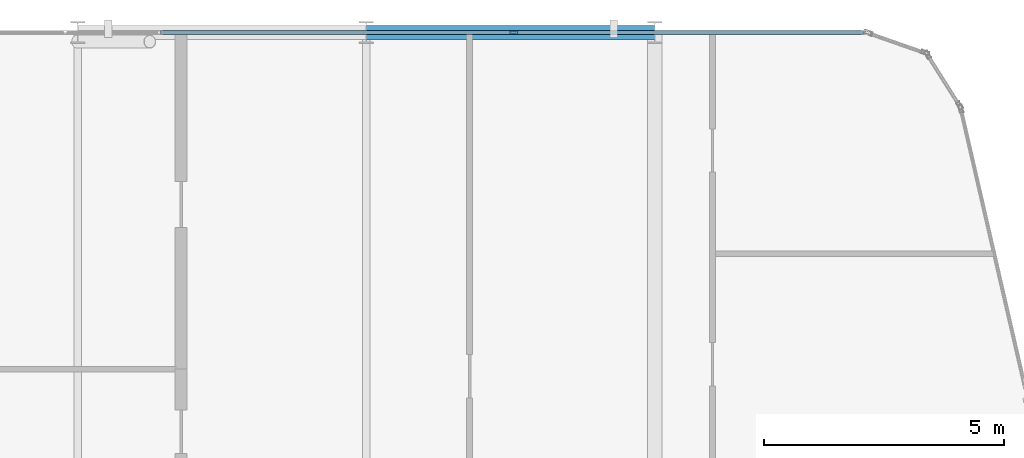
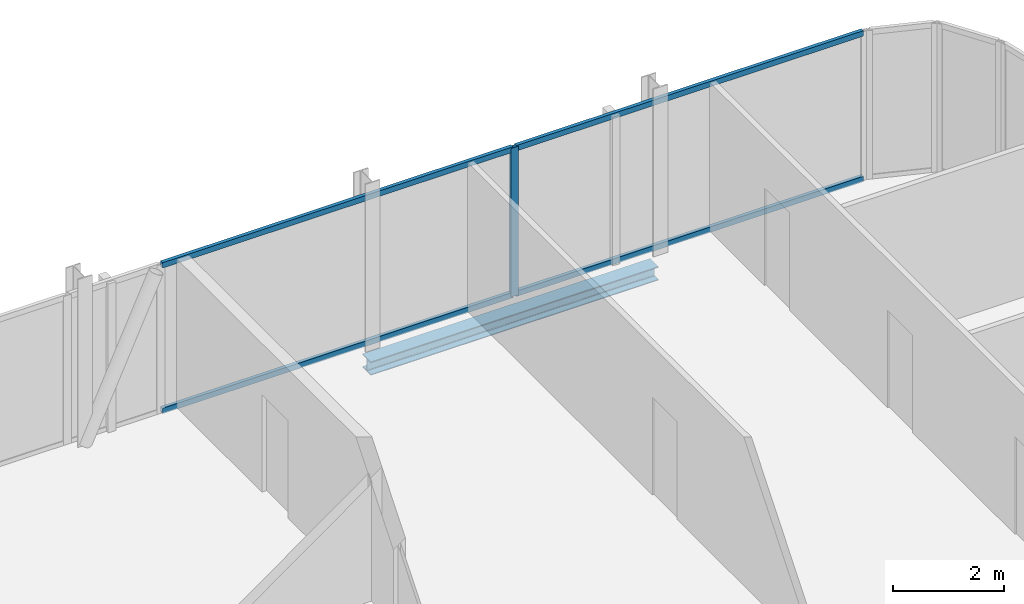
# One storey, part 19 of 28: 5 members, 1 beam, 1 element without a shape of its own.
"""IFC4 building model written with IfcOpenShell, lengths in metres."""

from ifc_helpers import new_model, si_unit, direction, frame, origin, origin_2d, place, context, subcontext, project, spatial, hollow_rectangle, i_section, extrude, material, layer, layer_set, material_profile, profile_set, type_object, element, aggregate, save


model = new_model("IFC4")

# Units and contexts
model_context = context("Model", 3, precision=1e-05, world=origin(), true_north=direction((0.0, 1.0)))
body_context = subcontext(model_context, "Body", "Model", "MODEL_VIEW")
ifc_project = project(units=[si_unit("LENGTHUNIT", "METRE"), si_unit("AREAUNIT", "SQUARE_METRE"), si_unit("VOLUMEUNIT", "CUBIC_METRE"), si_unit("PLANEANGLEUNIT", "RADIAN"), si_unit("MASSUNIT", "GRAM", prefix="KILO")], contexts=[model_context])

# Site, building, storey
site_placement = place(None, origin())
site = spatial("IfcSite", under=ifc_project, at=site_placement, CompositionType="ELEMENT")
building_placement = place(site_placement, origin())
building = spatial("IfcBuilding", under=site, at=building_placement, Name="Keshet Zoharim Tower", CompositionType="ELEMENT")
storey_placement = place(building_placement, frame((0.0, 0.0, 233.89990234375)))
storey = spatial("IfcBuildingStorey", under=building, at=storey_placement, Name="L58", CompositionType="ELEMENT", Elevation=233.89990234375)

# Beam
ifc_material_1 = material(Name="Steel S355", Category="steel")
ifc_material_profile_1 = material_profile(ifc_material_1, i_section(OverallWidth=0.300048828125, OverallDepth=0.300048828125, WebThickness=0.010986328125, FlangeThickness=0.01904296875, FilletRadius=0.027099609375, at=origin_2d()), Name="HEB300")
ifc_profile_set_1 = profile_set([ifc_material_profile_1], Name="Steel S355")
beam_type = type_object("IfcBeamType", Name="BM-PRI-HB300", PredefinedType="BEAM", material=ifc_profile_set_1)
beam_placement = place(storey_placement, frame((27.0, 53.89990234375, -0.4599609375), z_axis=(1.0, 0.0, 0.0), x_axis=(0.0, 1.0, 0.0)))
element("IfcBeam", 1, at=beam_placement, inside=storey, type_object=beam_type, Name="L58 Primary Girder X-020", PredefinedType="BEAM", context=body_context, shape_type="SweptSolid", body=[
    extrude(i_section(OverallWidth=0.300048828125, OverallDepth=0.300048828125, WebThickness=0.010986328125, FlangeThickness=0.01904296875, FilletRadius=0.027099609375, at=origin_2d()), origin(), (0.0, 0.0, 1.0), 6.0),
])

# Curtain wall, members
ifc_material_2 = material(Name="Aluminium 6063-T6", Category="aluminium")
ifc_layer = layer(ifc_material_2, 0.139892578125)
ifc_layer_set = layer_set([ifc_layer], Name="Aluminium 6063-T6")
curtain_wall_type = type_object("IfcCurtainWallType", Name="CW-SYS-05", PredefinedType="NOTDEFINED", material=ifc_layer_set)
curtain_wall_placement = place(storey_placement, origin())
curtain_wall = element("IfcCurtainWall", 2, at=curtain_wall_placement, inside=storey, type_object=curtain_wall_type, Name="L58 Unitised Curtain Wall 16 Part 3", PredefinedType="NOTDEFINED")
ifc_material_profile_2 = material_profile(ifc_material_2, hollow_rectangle(XDim=0.074951171875, YDim=0.159912109375, WallThickness=0.00390625, at=origin_2d()), Name="MUL-75x160")
ifc_profile_set_2 = profile_set([ifc_material_profile_2], Name="Aluminium 6063-T6")
member_type_1 = type_object("IfcMemberType", Name="CWM-M15", PredefinedType="MULLION", material=ifc_profile_set_2)
member_1_placement = place(storey_placement, frame((30.066650390625, 53.89990234375, 0.0), z_axis=(0.0, 0.0, 1.0), x_axis=(0.0, 1.0, 0.0)))
member_1 = element("IfcMember", 3, at=member_1_placement, type_object=member_type_1, Name="CW-05 mullion 2", PredefinedType="MULLION", context=body_context, shape_type="SweptSolid", body=[
    extrude(hollow_rectangle(XDim=0.074951171875, YDim=0.159912109375, WallThickness=0.00390625, at=origin_2d()), origin(), (0.0, 0.0, 1.0), 3.280029296875),
])
ifc_material_profile_3 = material_profile(ifc_material_2, hollow_rectangle(XDim=0.074951171875, YDim=0.1201171875, WallThickness=0.00390625, at=origin_2d()), Name="TRN-75x120")
ifc_profile_set_3 = profile_set([ifc_material_profile_3], Name="Aluminium 6063-T6")
member_type_2 = type_object("IfcMemberType", Name="CWT-T12", PredefinedType="USERDEFINED", material=ifc_profile_set_3)
member_2_placement = place(storey_placement, frame((22.72412109375, 53.89990234375, 0.03515625), z_axis=(1.0, 0.0, 0.0), x_axis=(0.0, 1.0, 0.0)))
member_2 = element("IfcMember", 4, at=member_2_placement, type_object=member_type_2, Name="CW-05 transom 1.1", ObjectType="TRANSOM", PredefinedType="USERDEFINED", context=body_context, shape_type="SweptSolid", body=[
    extrude(hollow_rectangle(XDim=0.074951171875, YDim=0.1201171875, WallThickness=0.00390625, at=origin_2d()), origin(), (0.0, 0.0, 1.0), 7.307373046875),
])
member_3_placement = place(storey_placement, frame((22.72412109375, 53.89990234375, 3.2451171875), z_axis=(1.0, 0.0, 0.0), x_axis=(0.0, 1.0, 0.0)))
member_3 = element("IfcMember", 5, at=member_3_placement, type_object=member_type_2, Name="CW-05 transom 1.2", ObjectType="TRANSOM", PredefinedType="USERDEFINED", context=body_context, shape_type="SweptSolid", body=[
    extrude(hollow_rectangle(XDim=0.074951171875, YDim=0.1201171875, WallThickness=0.00390625, at=origin_2d()), origin(), (0.0, 0.0, 1.0), 7.307373046875),
])
member_4_placement = place(storey_placement, frame((30.1015625, 53.89990234375, 0.03515625), z_axis=(1.0, 0.0, 0.0), x_axis=(0.0, 1.0, 0.0)))
member_4 = element("IfcMember", 6, at=member_4_placement, type_object=member_type_2, Name="CW-05 transom 2.1", ObjectType="TRANSOM", PredefinedType="USERDEFINED", context=body_context, shape_type="SweptSolid", body=[
    extrude(hollow_rectangle(XDim=0.074951171875, YDim=0.1201171875, WallThickness=0.00390625, at=origin_2d()), origin(), (0.0, 0.0, 1.0), 7.237548828125),
])
member_5_placement = place(storey_placement, frame((30.1015625, 53.89990234375, 3.2451171875), z_axis=(1.0, 0.0, 0.0), x_axis=(0.0, 1.0, 0.0)))
member_5 = element("IfcMember", 7, at=member_5_placement, type_object=member_type_2, Name="CW-05 transom 2.2", ObjectType="TRANSOM", PredefinedType="USERDEFINED", context=body_context, shape_type="SweptSolid", body=[
    extrude(hollow_rectangle(XDim=0.074951171875, YDim=0.1201171875, WallThickness=0.00390625, at=origin_2d()), origin(), (0.0, 0.0, 1.0), 7.237548828125),
])
aggregate(curtain_wall, [member_1, member_2, member_3, member_4, member_5])

save(model, "model.ifc")
